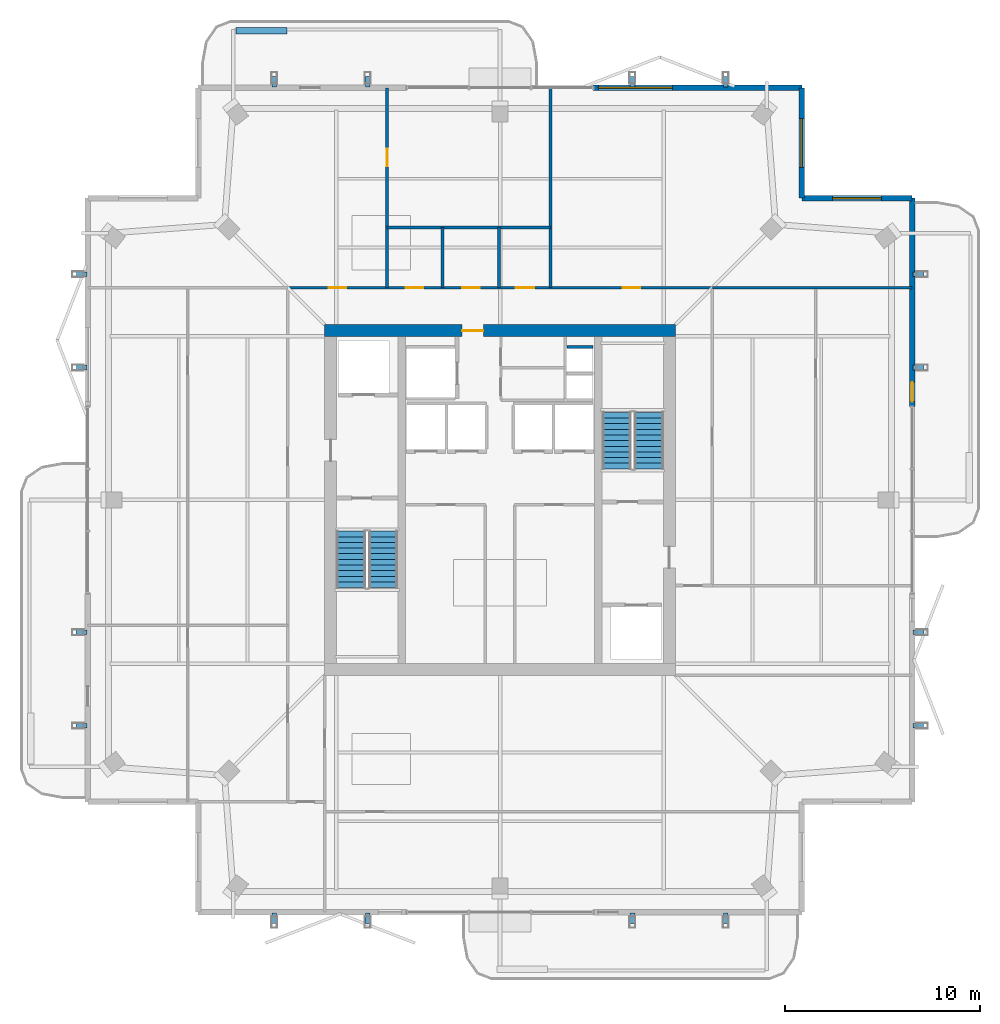
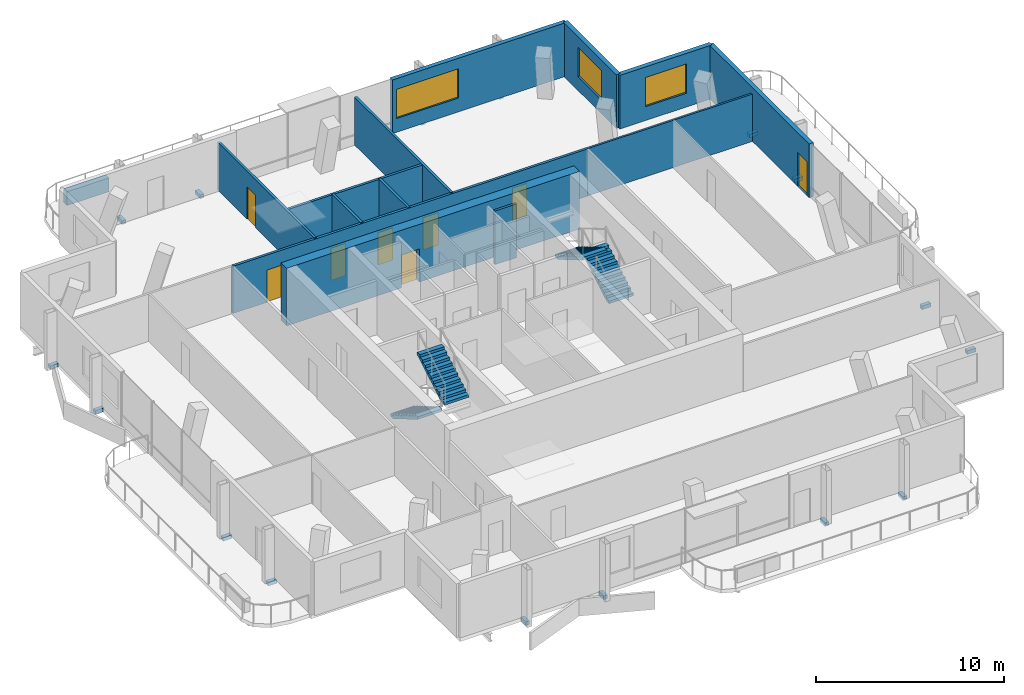
# One storey, part 17 of 20: 16 discrete accessories, 14 walls, 8 doors, 4 stair flights, 3 windows, 11 openings, 2 elements without a shape of their own.
"""IFC4 building model written with IfcOpenShell, lengths in metres."""

from ifc_helpers import new_model, si_unit, direction, frame, frame_2d, origin, origin_2d, place, context, subcontext, project, spatial, polyline, rectangle, outline, extrude, material, layer, layer_set, type_object, element, fill, aggregate, save


model = new_model("IFC4")

# Units and contexts
model_context = context("Model", 3, precision=1e-05, world=origin(), true_north=direction((0.0, 1.0)))
body_context = subcontext(model_context, "Body", "Model", "MODEL_VIEW")
ifc_project = project(units=[si_unit("LENGTHUNIT", "METRE"), si_unit("AREAUNIT", "SQUARE_METRE"), si_unit("VOLUMEUNIT", "CUBIC_METRE"), si_unit("PLANEANGLEUNIT", "RADIAN"), si_unit("MASSUNIT", "GRAM", prefix="KILO")], contexts=[model_context])

# Site, building, storey
site_placement = place(None, origin())
site = spatial("IfcSite", under=ifc_project, at=site_placement, CompositionType="ELEMENT")
building_placement = place(site_placement, origin())
building = spatial("IfcBuilding", under=site, at=building_placement, Name="Belovzor Exchange Tower", CompositionType="ELEMENT")
storey_placement = place(building_placement, frame((0.0, 0.0, 351.75)))
storey = spatial("IfcBuildingStorey", under=building, at=storey_placement, Name="L88", CompositionType="ELEMENT", Elevation=351.75)

# Walls
ifc_material_1 = material(Name="Acoustic Plasterboard on Galvanised Studs", Category="gypsum")
ifc_layer_1 = layer(ifc_material_1, 0.1201171875)
ifc_layer_set_1 = layer_set([ifc_layer_1], Name="Acoustic Plasterboard on Galvanised Studs")
wall_type_1 = type_object("IfcWallType", Name="Acoustic Double-Stud Partition Wall 120", PredefinedType="PARTITIONING", material=ifc_layer_set_1)
wall_1_placement = place(storey_placement, frame((39.699951171875, 39.699951171875, 0.0), z_axis=(0.0, 0.0, 1.0), x_axis=(1.0, 0.0, 0.0)))
element("IfcWall", 1, at=wall_1_placement, inside=storey, type_object=wall_type_1, Name="W-P120 Partition Wall W-L88-END-NE", PredefinedType="PARTITIONING", context=body_context, shape_type="SweptSolid", body=[
    extrude(rectangle(XDim=10.27001953125, YDim=0.1201171875, at=frame_2d((5.135009765625, 0.0))), origin(), (0.0, 0.0, 1.0), 3.074951171875),
])
ifc_material_2 = material(Name="Fire-Rated Gypsum Block and Mineral Wool", Category="gypsum")
ifc_layer_2 = layer(ifc_material_2, 0.14990234375)
ifc_layer_set_2 = layer_set([ifc_layer_2], Name="Fire-Rated Gypsum Block and Mineral Wool")
wall_type_2 = type_object("IfcWallType", Name="Fire-Rated Gypsum Block Corridor Wall 150", PredefinedType="PARTITIONING", material=ifc_layer_set_2)
wall_2_placement = place(storey_placement, frame((23.0, 42.800048828125, 0.0), z_axis=(0.0, 0.0, 1.0), x_axis=(1.0, 0.0, 0.0)))
element("IfcWall", 2, at=wall_2_placement, inside=storey, type_object=wall_type_2, Name="W-P150 Partition Wall W-L88-WCN", PredefinedType="PARTITIONING", context=body_context, shape_type="SweptSolid", body=[
    extrude(rectangle(XDim=8.39990234375, YDim=0.14990234375, at=frame_2d((4.199951171875, 0.0))), origin(), (0.0, 0.0, 1.0), 3.074951171875),
])

# Wall, opening, door
wall_3_placement = place(storey_placement, frame((23.0, 39.699951171875, 0.0), z_axis=(0.0, 0.0, 1.0), x_axis=(0.0, 1.0, 0.0)))
wall_3 = element("IfcWall", 3, at=wall_3_placement, inside=storey, type_object=wall_type_2, Name="W-P150 Partition Wall W-L88-WCW", PredefinedType="PARTITIONING", context=body_context, shape_type="SweptSolid", body=[
    extrude(rectangle(XDim=10.27001953125, YDim=0.14990234375, at=frame_2d((5.135009765625, 0.0))), origin(), (0.0, 0.0, 1.0), 3.114990234375),
])
opening_1_placement = place(wall_3_placement, frame((6.235107421875, 0.0, 0.0)))
opening_1 = element("IfcOpeningElement", 4, at=opening_1_placement, cuts=wall_3, Name="Opening D-INT-090", PredefinedType="OPENING", context=body_context, shape_type="SweptSolid", body=[
    extrude(rectangle(XDim=0.89990234375, YDim=2.10009765625, at=frame_2d((0.449951171875, 1.050048828125))), frame((0.0, 0.0849609375, 0.0), z_axis=(0.0, -1.0, 0.0), x_axis=(1.0, 0.0, 0.0)), (0.0, 0.0, 1.0), 0.169921875),
])
ifc_material_3 = material(Name="Veneered Hardwood Acoustic Leaf", Category="wood")
door_type_1 = type_object("IfcDoorType", Name="Trading Suite Acoustic Single Door 900x2100", OperationType="NOTDEFINED", PredefinedType="DOOR", material=ifc_material_3)
door_1_placement = place(opening_1_placement, origin())
door_1 = element("IfcDoor", 5, at=door_1_placement, inside=storey, type_object=door_type_1, Name="D-INT-090 Trading Suite Acoustic Single Door 900x2100", OperationType="SINGLE_SWING_LEFT", OverallHeight=2.10009765625, OverallWidth=0.89990234375, PredefinedType="DOOR", context=body_context, shape_type="SweptSolid", body=[
    extrude(rectangle(XDim=0.89990234375, YDim=2.10009765625, at=frame_2d((0.449951171875, 1.050048828125))), frame((0.0, 0.02490234375, 0.0), z_axis=(0.0, -1.0, 0.0), x_axis=(1.0, 0.0, 0.0)), (0.0, 0.0, 1.0), 0.050048828125),
])
fill(opening_1, door_1)

# Walls
wall_4_placement = place(storey_placement, frame((31.39990234375, 39.699951171875, 0.0), z_axis=(0.0, 0.0, 1.0), x_axis=(0.0, 1.0, 0.0)))
element("IfcWall", 6, at=wall_4_placement, inside=storey, type_object=wall_type_2, Name="W-P150 Partition Wall W-L88-WCE", PredefinedType="PARTITIONING", context=body_context, shape_type="SweptSolid", body=[
    extrude(rectangle(XDim=10.27001953125, YDim=0.14990234375, at=frame_2d((5.135009765625, 0.0))), origin(), (0.0, 0.0, 1.0), 3.114990234375),
])
wall_5_placement = place(storey_placement, frame((25.85009765625, 39.699951171875, 0.0), z_axis=(0.0, 0.0, 1.0), x_axis=(0.0, 1.0, 0.0)))
element("IfcWall", 7, at=wall_5_placement, inside=storey, type_object=wall_type_2, Name="W-P150 Partition Wall W-L88-WCD1", PredefinedType="PARTITIONING", context=body_context, shape_type="SweptSolid", body=[
    extrude(rectangle(XDim=3.10009765625, YDim=0.14990234375, at=frame_2d((1.550048828125, 0.0))), origin(), (0.0, 0.0, 1.0), 3.114990234375),
])
wall_6_placement = place(storey_placement, frame((28.75, 39.699951171875, 0.0), z_axis=(0.0, 0.0, 1.0), x_axis=(0.0, 1.0, 0.0)))
element("IfcWall", 8, at=wall_6_placement, inside=storey, type_object=wall_type_2, Name="W-P150 Partition Wall W-L88-WCD2", PredefinedType="PARTITIONING", context=body_context, shape_type="SweptSolid", body=[
    extrude(rectangle(XDim=3.10009765625, YDim=0.14990234375, at=frame_2d((1.550048828125, 0.0))), origin(), (0.0, 0.0, 1.0), 3.074951171875),
])

# Wall, openings, doors
wall_7_placement = place(storey_placement, frame((17.89990234375, 39.699951171875, 0.0), z_axis=(0.0, 0.0, 1.0), x_axis=(1.0, 0.0, 0.0)))
wall_7 = element("IfcWall", 9, at=wall_7_placement, inside=storey, type_object=wall_type_2, Name="W-P150 Partition Wall W-L88-CN", PredefinedType="PARTITIONING", context=body_context, shape_type="SweptSolid", body=[
    extrude(rectangle(XDim=21.800048828125, YDim=0.14990234375, at=frame_2d((10.89990234375, 0.0))), origin(), (0.0, 0.0, 1.0), 3.074951171875),
])
opening_2_placement = place(wall_7_placement, frame((2.10009765625, 0.0, 0.0)))
opening_2 = element("IfcOpeningElement", 10, at=opening_2_placement, cuts=wall_7, Name="Opening D-INT-090", PredefinedType="OPENING", context=body_context, shape_type="SweptSolid", body=[
    extrude(rectangle(XDim=0.89990234375, YDim=2.10009765625, at=frame_2d((0.449951171875, 1.050048828125))), frame((0.0, 0.0849609375, 0.0), z_axis=(0.0, -1.0, 0.0), x_axis=(1.0, 0.0, 0.0)), (0.0, 0.0, 1.0), 0.169921875),
])
opening_3_placement = place(wall_7_placement, frame((6.050048828125, 0.0, 0.0)))
opening_3 = element("IfcOpeningElement", 11, at=opening_3_placement, cuts=wall_7, Name="Opening D-FD60-090", PredefinedType="OPENING", context=body_context, shape_type="SweptSolid", body=[
    extrude(rectangle(XDim=0.89990234375, YDim=2.10009765625, at=frame_2d((0.449951171875, 1.050048828125))), frame((0.0, 0.0849609375, 0.0), z_axis=(0.0, -1.0, 0.0), x_axis=(1.0, 0.0, 0.0)), (0.0, 0.0, 1.0), 0.169921875),
])
opening_4_placement = place(wall_7_placement, frame((8.949951171875, 0.0, 0.0)))
opening_4 = element("IfcOpeningElement", 12, at=opening_4_placement, cuts=wall_7, Name="Opening D-FD60-090", PredefinedType="OPENING", context=body_context, shape_type="SweptSolid", body=[
    extrude(rectangle(XDim=0.89990234375, YDim=2.10009765625, at=frame_2d((0.449951171875, 1.050048828125))), frame((0.0, 0.0849609375, 0.0), z_axis=(0.0, -1.0, 0.0), x_axis=(1.0, 0.0, 0.0)), (0.0, 0.0, 1.0), 0.169921875),
])
opening_5_placement = place(wall_7_placement, frame((11.699951171875, 0.0, 0.0)))
opening_5 = element("IfcOpeningElement", 13, at=opening_5_placement, cuts=wall_7, Name="Opening D-FD60-095", PredefinedType="OPENING", context=body_context, shape_type="SweptSolid", body=[
    extrude(rectangle(XDim=0.949951171875, YDim=2.10009765625, at=frame_2d((0.47509765625, 1.050048828125))), frame((0.0, 0.0849609375, 0.0), z_axis=(0.0, -1.0, 0.0), x_axis=(1.0, 0.0, 0.0)), (0.0, 0.0, 1.0), 0.169921875),
])
opening_6_placement = place(wall_7_placement, frame((17.199951171875, 0.0, 0.0)))
opening_6 = element("IfcOpeningElement", 14, at=opening_6_placement, cuts=wall_7, Name="Opening D-INT-090", PredefinedType="OPENING", context=body_context, shape_type="SweptSolid", body=[
    extrude(rectangle(XDim=0.89990234375, YDim=2.10009765625, at=frame_2d((0.449951171875, 1.050048828125))), frame((0.0, 0.0849609375, 0.0), z_axis=(0.0, -1.0, 0.0), x_axis=(1.0, 0.0, 0.0)), (0.0, 0.0, 1.0), 0.169921875),
])
ifc_material_4 = material(Name="Moisture-Resistant Timber Fire Leaf", Category="wood")
door_type_2 = type_object("IfcDoorType", Name="Accessible Restroom Wide Fire Door 950x2100", OperationType="NOTDEFINED", PredefinedType="DOOR", material=ifc_material_4)
door_2_placement = place(opening_5_placement, origin())
door_2 = element("IfcDoor", 15, at=door_2_placement, inside=storey, type_object=door_type_2, Name="D-FD60-095 Accessible Restroom Wide Fire Door 950x2100", OperationType="SINGLE_SWING_LEFT", OverallHeight=2.10009765625, OverallWidth=0.949951171875, PredefinedType="DOOR", context=body_context, shape_type="SweptSolid", body=[
    extrude(rectangle(XDim=0.949951171875, YDim=2.10009765625, at=frame_2d((0.47509765625, 1.050048828125))), frame((0.0, 0.02490234375, 0.0), z_axis=(0.0, -1.0, 0.0), x_axis=(1.0, 0.0, 0.0)), (0.0, 0.0, 1.0), 0.050048828125),
])
fill(opening_5, door_2)
ifc_material_5 = material(Name="Acoustic Timber Fire Leaf", Category="wood")
door_type_3 = type_object("IfcDoorType", Name="Core Service & Restroom Fire Door 900x2100", OperationType="NOTDEFINED", PredefinedType="DOOR", material=ifc_material_5)
door_3_placement = place(opening_3_placement, origin())
door_3 = element("IfcDoor", 16, at=door_3_placement, inside=storey, type_object=door_type_3, Name="D-FD60-090 Core Service & Restroom Fire Door 900x2100", OperationType="SINGLE_SWING_LEFT", OverallHeight=2.10009765625, OverallWidth=0.89990234375, PredefinedType="DOOR", context=body_context, shape_type="SweptSolid", body=[
    extrude(rectangle(XDim=0.89990234375, YDim=2.10009765625, at=frame_2d((0.449951171875, 1.050048828125))), frame((0.0, 0.02490234375, 0.0), z_axis=(0.0, -1.0, 0.0), x_axis=(1.0, 0.0, 0.0)), (0.0, 0.0, 1.0), 0.050048828125),
])
fill(opening_3, door_3)
door_4_placement = place(opening_4_placement, origin())
door_4 = element("IfcDoor", 17, at=door_4_placement, inside=storey, type_object=door_type_3, Name="D-FD60-090 Core Service & Restroom Fire Door 900x2100", OperationType="SINGLE_SWING_RIGHT", OverallHeight=2.10009765625, OverallWidth=0.89990234375, PredefinedType="DOOR", context=body_context, shape_type="SweptSolid", body=[
    extrude(rectangle(XDim=0.89990234375, YDim=2.10009765625, at=frame_2d((0.449951171875, 1.050048828125))), frame((0.0, 0.02490234375, 0.0), z_axis=(0.0, -1.0, 0.0), x_axis=(1.0, 0.0, 0.0)), (0.0, 0.0, 1.0), 0.050048828125),
])
fill(opening_4, door_4)
door_5_placement = place(opening_2_placement, origin())
door_5 = element("IfcDoor", 18, at=door_5_placement, inside=storey, type_object=door_type_1, Name="D-INT-090 Trading Suite Acoustic Single Door 900x2100", OperationType="SINGLE_SWING_LEFT", OverallHeight=2.10009765625, OverallWidth=0.89990234375, PredefinedType="DOOR", context=body_context, shape_type="SweptSolid", body=[
    extrude(rectangle(XDim=0.89990234375, YDim=2.10009765625, at=frame_2d((0.449951171875, 1.050048828125))), frame((0.0, 0.02490234375, 0.0), z_axis=(0.0, -1.0, 0.0), x_axis=(1.0, 0.0, 0.0)), (0.0, 0.0, 1.0), 0.050048828125),
])
fill(opening_2, door_5)
door_6_placement = place(opening_6_placement, origin())
door_6 = element("IfcDoor", 19, at=door_6_placement, inside=storey, type_object=door_type_1, Name="D-INT-090 Trading Suite Acoustic Single Door 900x2100", OperationType="SINGLE_SWING_RIGHT", OverallHeight=2.10009765625, OverallWidth=0.89990234375, PredefinedType="DOOR", context=body_context, shape_type="SweptSolid", body=[
    extrude(rectangle(XDim=0.89990234375, YDim=2.10009765625, at=frame_2d((0.449951171875, 1.050048828125))), frame((0.0, 0.02490234375, 0.0), z_axis=(0.0, -1.0, 0.0), x_axis=(1.0, 0.0, 0.0)), (0.0, 0.0, 1.0), 0.050048828125),
])
fill(opening_6, door_6)

# Wall, opening, window
ifc_material_6 = material(Name="Precast concrete C40/50", Category="concrete")
ifc_layer_3 = layer(ifc_material_6, 0.280029296875)
ifc_layer_set_3 = layer_set([ifc_layer_3], Name="Precast concrete C40/50")
wall_type_3 = type_object("IfcWallType", Name="Precast Concrete Notched Corner Frame Wall 280", PredefinedType="SOLIDWALL", material=ifc_layer_set_3)
wall_8_placement = place(storey_placement, frame((44.300048828125, 49.969970703125, 0.0), z_axis=(0.0, 0.0, 1.0), x_axis=(0.0, -1.0, 0.0)))
wall_8 = element("IfcWall", 20, at=wall_8_placement, inside=storey, type_object=wall_type_3, Name="W-CRN280 Precast Concrete Notched Corner Frame Wall 280 L88", PredefinedType="SOLIDWALL", context=body_context, shape_type="SweptSolid", body=[
    extrude(rectangle(XDim=5.669921875, YDim=0.280029296875, at=frame_2d((2.8349609375, 0.0))), origin(), (0.0, 0.0, 1.0), 3.489990234375),
])
opening_7_placement = place(wall_8_placement, frame((1.5849609375, 0.0, 0.89990234375)))
opening_7 = element("IfcOpeningElement", 21, at=opening_7_placement, cuts=wall_8, Name="Opening WN-CRN250", PredefinedType="OPENING", context=body_context, shape_type="SweptSolid", body=[
    extrude(rectangle(XDim=2.5, YDim=1.89990234375, at=frame_2d((1.25, 0.949951171875))), frame((0.0, 0.14990234375, 0.0), z_axis=(0.0, -1.0, 0.0), x_axis=(1.0, 0.0, 0.0)), (0.0, 0.0, 1.0), 0.300048828125),
])
ifc_material_7 = material(Name="Thermally Broken Aluminium and Triple Glazing", Category="aluminium")
window_type_1 = type_object("IfcWindowType", Name="Streamline Moderne Corner Wrap Ribbon Window 2500x1900", PartitioningType="SINGLE_PANEL", PredefinedType="WINDOW", material=ifc_material_7)
window_1_placement = place(opening_7_placement, origin())
window_1 = element("IfcWindow", 22, at=window_1_placement, inside=storey, type_object=window_type_1, Name="WN-CRN250 Streamline Moderne Corner Wrap Ribbon Window 2500x1900", OverallHeight=1.89990234375, OverallWidth=2.5, PartitioningType="SINGLE_PANEL", PredefinedType="WINDOW", context=body_context, shape_type="SweptSolid", body=[
    extrude(rectangle(XDim=2.5, YDim=1.89990234375, at=frame_2d((1.25, 0.949951171875))), frame((0.0, 0.030029296875, 0.0), z_axis=(0.0, -1.0, 0.0), x_axis=(1.0, 0.0, 0.0)), (0.0, 0.0, 1.0), 0.06005859375),
])
fill(opening_7, window_1)

wall_9_placement = place(storey_placement, frame((44.300048828125, 44.300048828125, 0.0), z_axis=(0.0, 0.0, 1.0), x_axis=(1.0, 0.0, 0.0)))
wall_9 = element("IfcWall", 23, at=wall_9_placement, inside=storey, type_object=wall_type_3, Name="W-CRN280 Precast Concrete Notched Corner Frame Wall 280 L88", PredefinedType="SOLIDWALL", context=body_context, shape_type="SweptSolid", body=[
    extrude(rectangle(XDim=5.669921875, YDim=0.280029296875, at=frame_2d((2.8349609375, 0.0))), origin(), (0.0, 0.0, 1.0), 3.489990234375),
])
opening_8_placement = place(wall_9_placement, frame((1.5849609375, 0.0, 0.89990234375)))
opening_8 = element("IfcOpeningElement", 24, at=opening_8_placement, cuts=wall_9, Name="Opening WN-CRN250", PredefinedType="OPENING", context=body_context, shape_type="SweptSolid", body=[
    extrude(rectangle(XDim=2.5, YDim=1.89990234375, at=frame_2d((1.25, 0.949951171875))), frame((0.0, 0.14990234375, 0.0), z_axis=(0.0, -1.0, 0.0), x_axis=(1.0, 0.0, 0.0)), (0.0, 0.0, 1.0), 0.300048828125),
])
window_2_placement = place(opening_8_placement, origin())
window_2 = element("IfcWindow", 25, at=window_2_placement, inside=storey, type_object=window_type_1, Name="WN-CRN250 Streamline Moderne Corner Wrap Ribbon Window 2500x1900", OverallHeight=1.89990234375, OverallWidth=2.5, PartitioningType="SINGLE_PANEL", PredefinedType="WINDOW", context=body_context, shape_type="SweptSolid", body=[
    extrude(rectangle(XDim=2.5, YDim=1.89990234375, at=frame_2d((1.25, 0.949951171875))), frame((0.0, 0.030029296875, 0.0), z_axis=(0.0, -1.0, 0.0), x_axis=(1.0, 0.0, 0.0)), (0.0, 0.0, 1.0), 0.06005859375),
])
fill(opening_8, window_2)

ifc_material_8 = material(Name="Precast concrete C40/50", Category="concrete")
ifc_layer_4 = layer(ifc_material_8, 0.260009765625)
ifc_layer_set_4 = layer_set([ifc_layer_4], Name="Precast concrete C40/50")
wall_type_4 = type_object("IfcWallType", Name="Precast Concrete Perimeter Loggia Frame Wall 260", PredefinedType="SOLIDWALL", material=ifc_layer_set_4)
wall_10_placement = place(storey_placement, frame((33.60009765625, 49.969970703125, 0.0), z_axis=(0.0, 0.0, 1.0), x_axis=(1.0, 0.0, 0.0)))
wall_10 = element("IfcWall", 26, at=wall_10_placement, inside=storey, type_object=wall_type_4, Name="W-EXT260 Precast Concrete Perimeter Loggia Frame Wall 260 L88", PredefinedType="SOLIDWALL", context=body_context, shape_type="SweptSolid", body=[
    extrude(rectangle(XDim=10.699951171875, YDim=0.260009765625, at=frame_2d((5.35009765625, 0.0))), origin(), (0.0, 0.0, 1.0), 3.489990234375),
])
opening_9_placement = place(wall_10_placement, frame((0.25, 0.0, 0.89990234375)))
opening_9 = element("IfcOpeningElement", 27, at=opening_9_placement, cuts=wall_10, Name="Opening WN-RIB380", PredefinedType="OPENING", context=body_context, shape_type="SweptSolid", body=[
    extrude(rectangle(XDim=3.800048828125, YDim=1.89990234375, at=frame_2d((1.89990234375, 0.949951171875))), frame((0.0, 0.139892578125, 0.0), z_axis=(0.0, -1.0, 0.0), x_axis=(1.0, 0.0, 0.0)), (0.0, 0.0, 1.0), 0.280029296875),
])
ifc_material_9 = material(Name="Thermally Broken Aluminium and Triple Glazing", Category="aluminium")
window_type_2 = type_object("IfcWindowType", Name="Streamline Moderne Horizontal Ribbon Window 3800x1900", PartitioningType="SINGLE_PANEL", PredefinedType="WINDOW", material=ifc_material_9)
window_3_placement = place(opening_9_placement, origin())
window_3 = element("IfcWindow", 28, at=window_3_placement, inside=storey, type_object=window_type_2, Name="WN-RIB380 Streamline Moderne Horizontal Ribbon Window 3800x1900", OverallHeight=1.89990234375, OverallWidth=3.800048828125, PartitioningType="SINGLE_PANEL", PredefinedType="WINDOW", context=body_context, shape_type="SweptSolid", body=[
    extrude(rectangle(XDim=3.800048828125, YDim=1.89990234375, at=frame_2d((1.89990234375, 0.949951171875))), frame((0.0, 0.030029296875, 0.0), z_axis=(0.0, -1.0, 0.0), x_axis=(1.0, 0.0, 0.0)), (0.0, 0.0, 1.0), 0.06005859375),
])
fill(opening_9, window_3)

# Wall, opening, door
wall_11_placement = place(storey_placement, frame((49.969970703125, 44.300048828125, 0.0), z_axis=(0.0, 0.0, 1.0), x_axis=(0.0, -1.0, 0.0)))
wall_11 = element("IfcWall", 29, at=wall_11_placement, inside=storey, type_object=wall_type_4, Name="W-EXT260 Precast Concrete Perimeter Loggia Frame Wall 260 L88", PredefinedType="SOLIDWALL", context=body_context, shape_type="SweptSolid", body=[
    extrude(rectangle(XDim=10.699951171875, YDim=0.260009765625, at=frame_2d((5.35009765625, 0.0))), origin(), (0.0, 0.0, 1.0), 3.489990234375),
])
opening_10_placement = place(wall_11_placement, frame((9.449951171875, 0.0, 0.0)))
opening_10 = element("IfcOpeningElement", 30, at=opening_10_placement, cuts=wall_11, Name="Opening D-BAL100", PredefinedType="OPENING", context=body_context, shape_type="SweptSolid", body=[
    extrude(rectangle(XDim=1.0, YDim=2.199951171875, at=frame_2d((0.5, 1.10009765625))), frame((0.0, 0.139892578125, 0.0), z_axis=(0.0, -1.0, 0.0), x_axis=(1.0, 0.0, 0.0)), (0.0, 0.0, 1.0), 0.280029296875),
])
ifc_material_10 = material(Name="Thermally Broken Anodised Aluminium and Laminated Glass", Category="aluminium")
door_type_4 = type_object("IfcDoorType", Name="Planted Loggia Terrace Glazed Door 1000x2200", OperationType="SINGLE_SWING_LEFT", PredefinedType="DOOR", material=ifc_material_10)
door_7_placement = place(opening_10_placement, origin())
door_7 = element("IfcDoor", 31, at=door_7_placement, inside=storey, type_object=door_type_4, Name="D-BAL100 Balcony Terrace Door L88 E", OperationType="SINGLE_SWING_LEFT", OverallHeight=2.199951171875, OverallWidth=1.0, PredefinedType="DOOR", context=body_context, shape_type="SweptSolid", body=[
    extrude(rectangle(XDim=1.0, YDim=2.199951171875, at=frame_2d((0.5, 1.10009765625))), frame((0.0, 0.02490234375, 0.0), z_axis=(0.0, -1.0, 0.0), x_axis=(1.0, 0.0, 0.0)), (0.0, 0.0, 1.0), 0.050048828125),
])
fill(opening_10, door_7)

# Walls
ifc_material_11 = material(Name="Precast concrete C40/50", Category="concrete")
ifc_layer_5 = layer(ifc_material_11, 0.35009765625)
ifc_layer_set_5 = layer_set([ifc_layer_5], Name="Precast concrete C40/50")
wall_type_5 = type_object("IfcWallType", Name="Precast Concrete Structural Tree Planter Trough 350", PredefinedType="PARAPET", material=ifc_layer_set_5)
wall_12_placement = place(storey_placement, frame((15.25, 52.89990234375, 0.0), z_axis=(0.0, 0.0, 1.0), x_axis=(1.0, 0.0, 0.0)))
element("IfcWall", 32, at=wall_12_placement, inside=storey, type_object=wall_type_5, Name="PT-350 Precast Concrete Structural Tree Planter Trough 350 L88", PredefinedType="PARAPET", context=body_context, shape_type="SweptSolid", body=[
    extrude(rectangle(XDim=2.60009765625, YDim=0.35009765625, at=frame_2d((1.300048828125, 0.0))), origin(), (0.0, 0.0, 1.0), 0.89990234375),
])
ifc_material_12 = material(Name="Concrete C50/60", Category="concrete")
ifc_layer_6 = layer(ifc_material_12, 0.14990234375)
ifc_layer_set_6 = layer_set([ifc_layer_6], Name="Concrete C50/60")
wall_type_6 = type_object("IfcWallType", Name="Reinforced Concrete Core Riser Shear Wall 150", PredefinedType="SHEAR", material=ifc_layer_set_6)
wall_13_placement = place(storey_placement, frame((32.25, 36.64990234375, 0.0), z_axis=(0.0, 0.0, 1.0), x_axis=(1.0, 0.0, 0.0)))
element("IfcWall", 33, at=wall_13_placement, inside=storey, type_object=wall_type_6, Name="W-C150S Core Shaft Wall W-RSR-L88-N", PredefinedType="SHEAR", context=body_context, shape_type="SweptSolid", body=[
    extrude(rectangle(XDim=1.330078125, YDim=0.14990234375, at=frame_2d((0.6650390625, 0.0))), origin(), (0.0, 0.0, 1.0), 3.489990234375),
])

# Wall, opening, door
ifc_material_13 = material(Name="Concrete C50/60", Category="concrete")
ifc_layer_7 = layer(ifc_material_13, 0.60009765625)
ifc_layer_set_7 = layer_set([ifc_layer_7], Name="Concrete C50/60")
wall_type_7 = type_object("IfcWallType", Name="Reinforced Concrete Core Shear Wall 600", PredefinedType="SHEAR", material=ifc_layer_set_7)
wall_14_placement = place(storey_placement, frame((19.800048828125, 37.5, 0.0), z_axis=(0.0, 0.0, 1.0), x_axis=(1.0, 0.0, 0.0)))
wall_14 = element("IfcWall", 34, at=wall_14_placement, inside=storey, type_object=wall_type_7, Name="CW-S060 Core Shear Wall L88 N", PredefinedType="SHEAR", context=body_context, shape_type="SweptSolid", body=[
    extrude(rectangle(XDim=18.0, YDim=0.60009765625, at=frame_2d((9.0, 0.0))), origin(), (0.0, 0.0, 1.0), 3.75),
])
opening_11_placement = place(wall_14_placement, frame((7.050048828125, 0.0, 0.0)))
opening_11 = element("IfcOpeningElement", 35, at=opening_11_placement, cuts=wall_14, Name="Opening D-FD90-110", PredefinedType="OPENING", context=body_context, shape_type="SweptSolid", body=[
    extrude(rectangle(XDim=1.10009765625, YDim=2.14990234375, at=frame_2d((0.550048828125, 1.074951171875))), frame((0.0, 0.31005859375, 0.0), z_axis=(0.0, -1.0, 0.0), x_axis=(1.0, 0.0, 0.0)), (0.0, 0.0, 1.0), 0.6201171875),
])
ifc_material_14 = material(Name="Fire-Rated Galvanised Steel Leaf", Category="steel")
door_type_5 = type_object("IfcDoorType", Name="Protected Escape Vestibule Fire Door 1100x2150", OperationType="NOTDEFINED", PredefinedType="DOOR", material=ifc_material_14)
door_8_placement = place(opening_11_placement, origin())
door_8 = element("IfcDoor", 36, at=door_8_placement, inside=storey, type_object=door_type_5, Name="D-FD90-110 Protected Escape Vestibule Fire Door 1100x2150", OperationType="SINGLE_SWING_LEFT", OverallHeight=2.14990234375, OverallWidth=1.10009765625, PredefinedType="DOOR", context=body_context, shape_type="SweptSolid", body=[
    extrude(rectangle(XDim=1.10009765625, YDim=2.14990234375, at=frame_2d((0.550048828125, 1.074951171875))), frame((0.0, 0.02490234375, 0.0), z_axis=(0.0, -1.0, 0.0), x_axis=(1.0, 0.0, 0.0)), (0.0, 0.0, 1.0), 0.050048828125),
])
fill(opening_11, door_8)

# Stair, stair flights
ifc_material_15 = material(Name="Concrete C40/50", Category="concrete")
stair_type = type_object("IfcStairType", Name="Reinforced Concrete Dogleg Escape Stair 1350", PredefinedType="HALF_TURN_STAIR", material=ifc_material_15)
stair_1_placement = place(storey_placement, origin())
stair_1 = element("IfcStair", 37, at=stair_1_placement, inside=storey, type_object=stair_type, Name="L88 ST-1", PredefinedType="HALF_TURN_STAIR")
ifc_material_16 = material(Name="Concrete C40/50", Category="concrete")
stair_flight_type = type_object("IfcStairFlightType", Name="Reinforced Concrete Stair Flight 1350", PredefinedType="STRAIGHT", material=ifc_material_16)
stair_flight_1_placement = place(storey_placement, frame((21.14990234375, 27.199951171875, 0.0), z_axis=(0.0, 0.0, 1.0), x_axis=(0.0, -1.0, 0.0)))
stair_flight_1 = element("IfcStairFlight", 38, at=stair_flight_1_placement, type_object=stair_flight_type, Name="ST-1 flight 1", NumberOfRisers=11, NumberOfTreads=10, PredefinedType="STRAIGHT", RiserHeight=0.170454545, TreadLength=0.29, context=body_context, shape_type="SweptSolid", body=[
    extrude(outline(polyline([(0.0, 0.0), (0.0, 0.17041015625), (0.2900390625, 0.17041015625), (0.2900390625, 0.3408203125), (0.580078125, 0.3408203125), (0.580078125, 0.511474609375), (0.8701171875, 0.511474609375), (0.8701171875, 0.681884765625), (1.159912109375, 0.681884765625), (1.159912109375, 0.852294921875), (1.449951171875, 0.852294921875), (1.449951171875, 1.022705078125), (1.739990234375, 1.022705078125), (1.739990234375, 1.193115234375), (2.030029296875, 1.193115234375), (2.030029296875, 1.363525390625), (2.320068359375, 1.363525390625), (2.320068359375, 1.5341796875), (2.610107421875, 1.5341796875), (2.610107421875, 1.70458984375), (2.89990234375, 1.70458984375), (2.89990234375, 1.875), (2.89990234375, 1.53076171875), (0.2958984375, 0.0), (0.0, 0.0)])), frame((0.0, 0.75, 0.0), z_axis=(0.0, -1.0, 0.0), x_axis=(1.0, 0.0, 0.0)), (0.0, 0.0, 1.0), 1.5),
])
stair_flight_2_placement = place(storey_placement, frame((22.800048828125, 24.300048828125, 1.875), z_axis=(0.0, 0.0, 1.0), x_axis=(0.0, 1.0, 0.0)))
stair_flight_2 = element("IfcStairFlight", 39, at=stair_flight_2_placement, type_object=stair_flight_type, Name="ST-1 flight 2", NumberOfRisers=11, NumberOfTreads=10, PredefinedType="STRAIGHT", RiserHeight=0.170454545, TreadLength=0.29, context=body_context, shape_type="SweptSolid", body=[
    extrude(outline(polyline([(0.0, 0.0), (0.0, 0.17041015625), (0.2900390625, 0.17041015625), (0.2900390625, 0.3408203125), (0.580078125, 0.3408203125), (0.580078125, 0.511474609375), (0.8701171875, 0.511474609375), (0.8701171875, 0.681884765625), (1.159912109375, 0.681884765625), (1.159912109375, 0.852294921875), (1.449951171875, 0.852294921875), (1.449951171875, 1.022705078125), (1.739990234375, 1.022705078125), (1.739990234375, 1.193115234375), (2.030029296875, 1.193115234375), (2.030029296875, 1.363525390625), (2.320068359375, 1.363525390625), (2.320068359375, 1.5341796875), (2.610107421875, 1.5341796875), (2.610107421875, 1.70458984375), (2.89990234375, 1.70458984375), (2.89990234375, 1.875), (2.89990234375, 1.53076171875), (0.2958984375, 0.0), (0.0, 0.0)])), frame((0.0, 0.75, 0.0), z_axis=(0.0, -1.0, 0.0), x_axis=(1.0, 0.0, 0.0)), (0.0, 0.0, 1.0), 1.5),
])
aggregate(stair_1, [stair_flight_1, stair_flight_2])

stair_2_placement = place(storey_placement, origin())
stair_2 = element("IfcStair", 40, at=stair_2_placement, inside=storey, type_object=stair_type, Name="L88 ST-2", PredefinedType="HALF_TURN_STAIR")
stair_flight_3_placement = place(storey_placement, frame((36.449951171875, 30.39990234375, 0.0), z_axis=(0.0, 0.0, 1.0), x_axis=(0.0, 1.0, 0.0)))
stair_flight_3 = element("IfcStairFlight", 41, at=stair_flight_3_placement, type_object=stair_flight_type, Name="ST-2 flight 1", NumberOfRisers=11, NumberOfTreads=10, PredefinedType="STRAIGHT", RiserHeight=0.170454545, TreadLength=0.29, context=body_context, shape_type="SweptSolid", body=[
    extrude(outline(polyline([(0.0, 0.0), (0.0, 0.17041015625), (0.2900390625, 0.17041015625), (0.2900390625, 0.3408203125), (0.580078125, 0.3408203125), (0.580078125, 0.511474609375), (0.8701171875, 0.511474609375), (0.8701171875, 0.681884765625), (1.159912109375, 0.681884765625), (1.159912109375, 0.852294921875), (1.449951171875, 0.852294921875), (1.449951171875, 1.022705078125), (1.739990234375, 1.022705078125), (1.739990234375, 1.193115234375), (2.030029296875, 1.193115234375), (2.030029296875, 1.363525390625), (2.320068359375, 1.363525390625), (2.320068359375, 1.5341796875), (2.610107421875, 1.5341796875), (2.610107421875, 1.70458984375), (2.89990234375, 1.70458984375), (2.89990234375, 1.875), (2.89990234375, 1.53076171875), (0.2958984375, 0.0), (0.0, 0.0)])), frame((0.0, 0.75, 0.0), z_axis=(0.0, -1.0, 0.0), x_axis=(1.0, 0.0, 0.0)), (0.0, 0.0, 1.0), 1.5),
])
stair_flight_4_placement = place(storey_placement, frame((34.800048828125, 33.300048828125, 1.875), z_axis=(0.0, 0.0, 1.0), x_axis=(0.0, -1.0, 0.0)))
stair_flight_4 = element("IfcStairFlight", 42, at=stair_flight_4_placement, type_object=stair_flight_type, Name="ST-2 flight 2", NumberOfRisers=11, NumberOfTreads=10, PredefinedType="STRAIGHT", RiserHeight=0.170454545, TreadLength=0.29, context=body_context, shape_type="SweptSolid", body=[
    extrude(outline(polyline([(0.0, 0.0), (0.0, 0.17041015625), (0.2900390625, 0.17041015625), (0.2900390625, 0.3408203125), (0.580078125, 0.3408203125), (0.580078125, 0.511474609375), (0.8701171875, 0.511474609375), (0.8701171875, 0.681884765625), (1.159912109375, 0.681884765625), (1.159912109375, 0.852294921875), (1.449951171875, 0.852294921875), (1.449951171875, 1.022705078125), (1.739990234375, 1.022705078125), (1.739990234375, 1.193115234375), (2.030029296875, 1.193115234375), (2.030029296875, 1.363525390625), (2.320068359375, 1.363525390625), (2.320068359375, 1.5341796875), (2.610107421875, 1.5341796875), (2.610107421875, 1.70458984375), (2.89990234375, 1.70458984375), (2.89990234375, 1.875), (2.89990234375, 1.53076171875), (0.2958984375, 0.0), (0.0, 0.0)])), frame((0.0, 0.75, 0.0), z_axis=(0.0, -1.0, 0.0), x_axis=(1.0, 0.0, 0.0)), (0.0, 0.0, 1.0), 1.5),
])
aggregate(stair_2, [stair_flight_3, stair_flight_4])

# Discrete accessories
ifc_material_17 = material(Name="Stainless Steel Grade 316", Category="steel")
ifc_layer_8 = layer(ifc_material_17, 0.179931640625)
ifc_layer_set_8 = layer_set([ifc_layer_8], Name="Stainless Steel Grade 316")
discrete_accessory_type = type_object("IfcDiscreteAccessoryType", Name="Stainless Steel Facade Outrigger Fixing Bracket", PredefinedType="BRACKET", material=ifc_layer_set_8)
for number, where, z_axis, x_axis, name in (
    (43, (17.199951171875, 7.31201171875, -0.240234375), (0.0, 0.0, 1.0), (0.0, 1.0, 0.0), "BRK-FIN1 Sweeping Fin Outrigger Bracket L88 S1"),
    (44, (17.199951171875, 50.2880859375, -0.240234375), (0.0, 0.0, 1.0), (0.0, 1.0, 0.0), "BRK-FIN1 Sweeping Fin Outrigger Bracket L88 N1"),
    (45, (7.31201171875, 17.199951171875, -0.240234375), (0.0, 0.0, 1.0), (1.0, 0.0, 0.0), "BRK-FIN1 Sweeping Fin Outrigger Bracket L88 W1"),
    (46, (50.2880859375, 17.199951171875, -0.240234375), (0.0, 0.0, 1.0), (1.0, 0.0, 0.0), "BRK-FIN1 Sweeping Fin Outrigger Bracket L88 E1"),
    (47, (22.0, 7.31201171875, -0.240234375), (0.0, 0.0, 1.0), (0.0, 1.0, 0.0), "BRK-FIN1 Sweeping Fin Outrigger Bracket L88 S2"),
    (48, (22.0, 50.2880859375, -0.240234375), (0.0, 0.0, 1.0), (0.0, 1.0, 0.0), "BRK-FIN1 Sweeping Fin Outrigger Bracket L88 N2"),
    (49, (7.31201171875, 22.0, -0.240234375), (0.0, 0.0, 1.0), (1.0, 0.0, 0.0), "BRK-FIN1 Sweeping Fin Outrigger Bracket L88 W2"),
    (50, (50.2880859375, 22.0, -0.240234375), (0.0, 0.0, 1.0), (1.0, 0.0, 0.0), "BRK-FIN1 Sweeping Fin Outrigger Bracket L88 E2"),
    (51, (35.60009765625, 7.31201171875, -0.240234375), (0.0, 0.0, 1.0), (0.0, 1.0, 0.0), "BRK-FIN1 Sweeping Fin Outrigger Bracket L88 S3"),
    (52, (35.60009765625, 50.2880859375, -0.240234375), (0.0, 0.0, 1.0), (0.0, 1.0, 0.0), "BRK-FIN1 Sweeping Fin Outrigger Bracket L88 N3"),
    (53, (7.31201171875, 35.60009765625, -0.240234375), (0.0, 0.0, 1.0), (1.0, 0.0, 0.0), "BRK-FIN1 Sweeping Fin Outrigger Bracket L88 W3"),
    (54, (50.2880859375, 35.60009765625, -0.240234375), (0.0, 0.0, 1.0), (1.0, 0.0, 0.0), "BRK-FIN1 Sweeping Fin Outrigger Bracket L88 E3"),
    (55, (40.39990234375, 7.31201171875, -0.240234375), (0.0, 0.0, 1.0), (0.0, 1.0, 0.0), "BRK-FIN1 Sweeping Fin Outrigger Bracket L88 S4"),
    (56, (40.39990234375, 50.2880859375, -0.240234375), (0.0, 0.0, 1.0), (0.0, 1.0, 0.0), "BRK-FIN1 Sweeping Fin Outrigger Bracket L88 N4"),
    (57, (7.31201171875, 40.39990234375, -0.240234375), (0.0, 0.0, 1.0), (1.0, 0.0, 0.0), "BRK-FIN1 Sweeping Fin Outrigger Bracket L88 W4"),
    (58, (50.2880859375, 40.39990234375, -0.240234375), (0.0, 0.0, 1.0), (1.0, 0.0, 0.0), "BRK-FIN1 Sweeping Fin Outrigger Bracket L88 E4"),
):
    element("IfcDiscreteAccessory", number, at=place(storey_placement, frame(where, z_axis=z_axis, x_axis=x_axis)), inside=storey, type_object=discrete_accessory_type, Name=name, PredefinedType="BRACKET", context=body_context, shape_type="SweptSolid", body=[
        extrude(rectangle(XDim=0.534912109375, YDim=0.239990234375, at=origin_2d()), origin(), (0.0, 0.0, 1.0), 0.239990234375),
    ])

save(model, "model.ifc")
